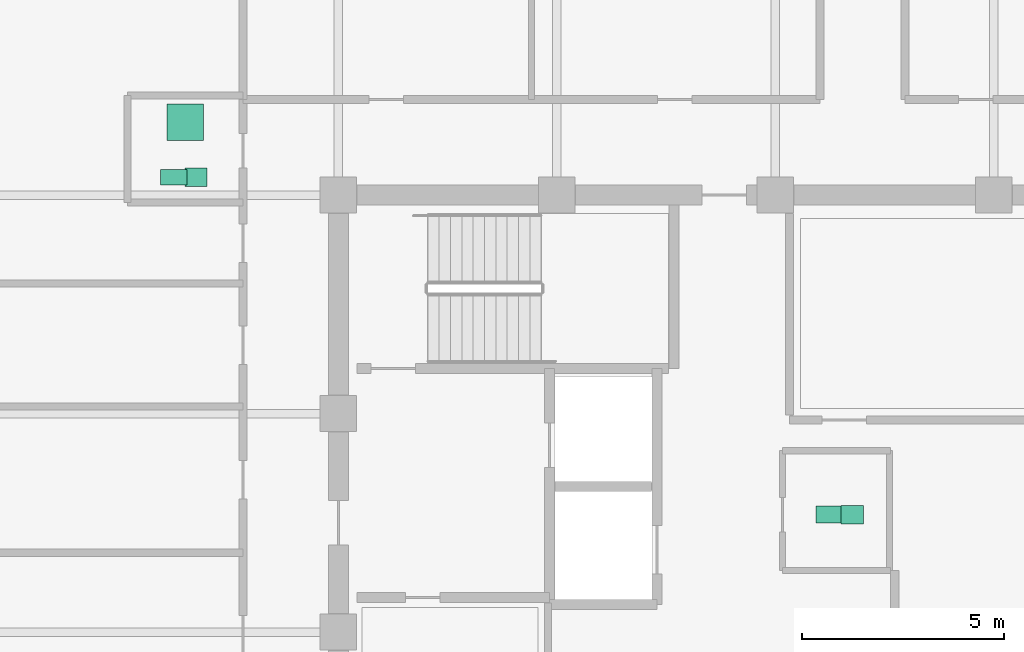
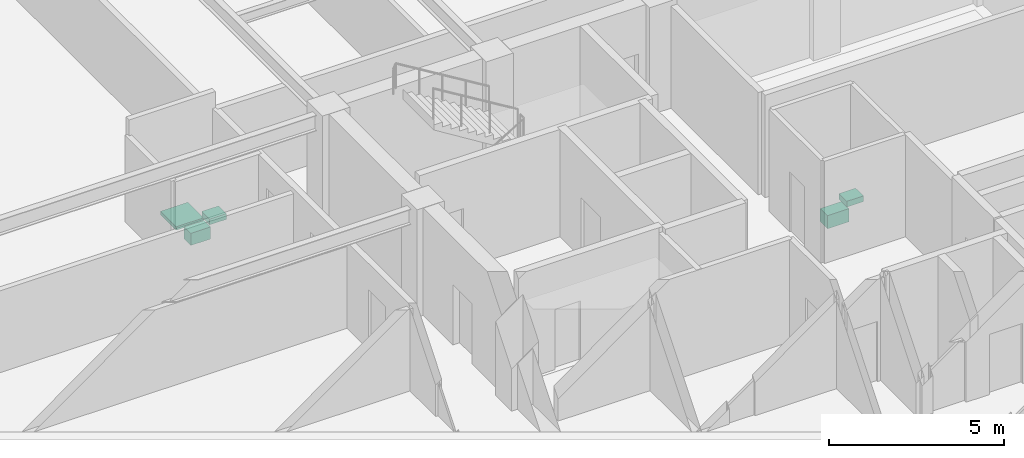
# One storey, part 30 of 30: 5 sanitary terminals.
"""IFC4 building model written with IfcOpenShell, lengths in metres."""

from ifc_helpers import new_model, si_unit, direction, frame, origin, origin_2d, place, context, subcontext, project, spatial, rectangle, extrude, material, type_object, element, save


model = new_model("IFC4")

# Units and contexts
model_context = context("Model", 3, precision=1e-05, world=origin(), true_north=direction((0.0, 1.0)))
body_context = subcontext(model_context, "Body", "Model", "MODEL_VIEW")
ifc_project = project(units=[si_unit("LENGTHUNIT", "METRE"), si_unit("AREAUNIT", "SQUARE_METRE"), si_unit("VOLUMEUNIT", "CUBIC_METRE"), si_unit("PLANEANGLEUNIT", "RADIAN"), si_unit("MASSUNIT", "GRAM", prefix="KILO")], contexts=[model_context])

# Site, building, storey
site_placement = place(None, origin())
site = spatial("IfcSite", under=ifc_project, at=site_placement, CompositionType="ELEMENT")
building_placement = place(site_placement, origin())
building = spatial("IfcBuilding", under=site, at=building_placement, Name="Surkhivell Harbour Commons", CompositionType="ELEMENT")
storey_placement = place(building_placement, frame((0.0, 0.0, 300.0)))
storey = spatial("IfcBuildingStorey", under=building, at=storey_placement, Name="L78", CompositionType="ELEMENT", Elevation=300.0)

# Sanitary terminals
ifc_material_1 = material(Name="Vitreous china washbasin", Category="other")
sanitary_terminal_type_1 = type_object("IfcSanitaryTerminalType", Name="SAN-BSN", PredefinedType="WASHHANDBASIN", material=ifc_material_1)
for number, where, z_axis, x_axis, name in (
    (1, (1.89990234375, 2.89990234375, 0.72021484375), (0.0, 0.0, 1.0), (1.0, 0.0, 0.0), "L78 Core Accessible WC Washbasin"),
    (2, (-14.320068359375, 11.239990234375, 0.72021484375), (0.0, 0.0, 1.0), (1.0, 0.0, 0.0), "L78 West Communal Bathroom WC Washbasin"),
):
    element("IfcSanitaryTerminal", number, at=place(storey_placement, frame(where, z_axis=z_axis, x_axis=x_axis)), inside=storey, type_object=sanitary_terminal_type_1, Name=name, PredefinedType="WASHHANDBASIN", context=body_context, shape_type="SweptSolid", body=[
        extrude(rectangle(XDim=0.550048828125, YDim=0.449951171875, at=origin_2d()), origin(), (0.0, 0.0, 1.0), 0.199951171875),
    ])
ifc_material_2 = material(Name="Glazed porcelain shower tray", Category="other")
sanitary_terminal_type_2 = type_object("IfcSanitaryTerminalType", Name="SAN-SHW", PredefinedType="SHOWER", material=ifc_material_2)
sanitary_terminal_1_placement = place(storey_placement, frame((-14.590087890625, 12.60009765625, 0.0), z_axis=(0.0, 0.0, 1.0), x_axis=(1.0, 0.0, 0.0)))
element("IfcSanitaryTerminal", 3, at=sanitary_terminal_1_placement, inside=storey, type_object=sanitary_terminal_type_2, Name="L78 West Communal Shower Tray", PredefinedType="SHOWER", context=body_context, shape_type="SweptSolid", body=[
    extrude(rectangle(XDim=0.89990234375, YDim=0.89990234375, at=origin_2d()), origin(), (0.0, 0.0, 1.0), 0.1201171875),
])
ifc_material_3 = material(Name="Vitreous china sanitaryware", Category="other")
sanitary_terminal_type_3 = type_object("IfcSanitaryTerminalType", Name="SAN-WC-ACC", PredefinedType="TOILETPAN", material=ifc_material_3)
sanitary_terminal_2_placement = place(storey_placement, frame((1.35009765625, 2.89990234375, 0.169921875), z_axis=(0.0, 0.0, 1.0), x_axis=(1.0, 0.0, 0.0)))
element("IfcSanitaryTerminal", 4, at=sanitary_terminal_2_placement, inside=storey, type_object=sanitary_terminal_type_3, Name="L78 Core Accessible WC", PredefinedType="TOILETPAN", context=body_context, shape_type="SweptSolid", body=[
    extrude(rectangle(XDim=0.699951171875, YDim=0.419921875, at=origin_2d()), origin(), (0.0, 0.0, 1.0), 0.4599609375),
])
sanitary_terminal_type_4 = type_object("IfcSanitaryTerminalType", Name="SAN-WC-STD", PredefinedType="TOILETPAN", material=ifc_material_3)
sanitary_terminal_3_placement = place(storey_placement, frame((-14.8701171875, 11.239990234375, 0.18994140625), z_axis=(0.0, 0.0, 1.0), x_axis=(1.0, 0.0, 0.0)))
element("IfcSanitaryTerminal", 5, at=sanitary_terminal_3_placement, inside=storey, type_object=sanitary_terminal_type_4, Name="L78 West Communal Bathroom WC", PredefinedType="TOILETPAN", context=body_context, shape_type="SweptSolid", body=[
    extrude(rectangle(XDim=0.64990234375, YDim=0.3798828125, at=origin_2d()), origin(), (0.0, 0.0, 1.0), 0.419921875),
])

save(model, "model.ifc")
